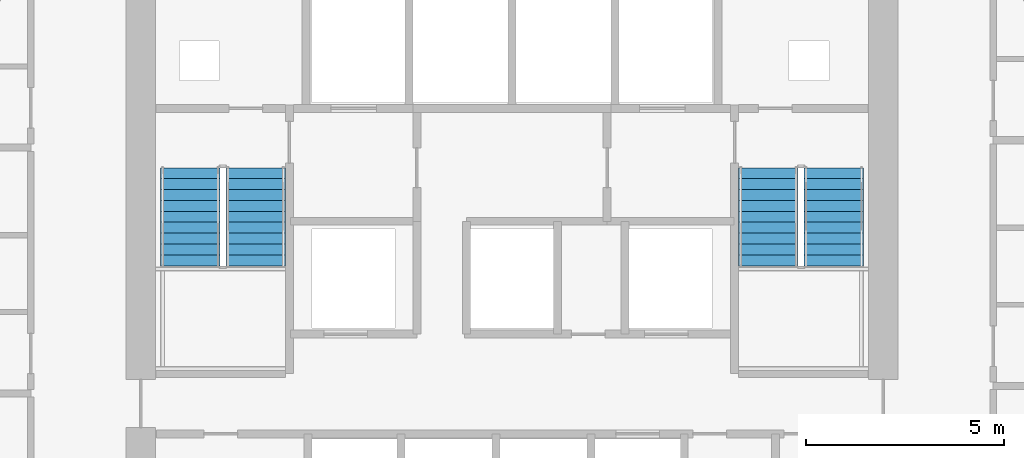
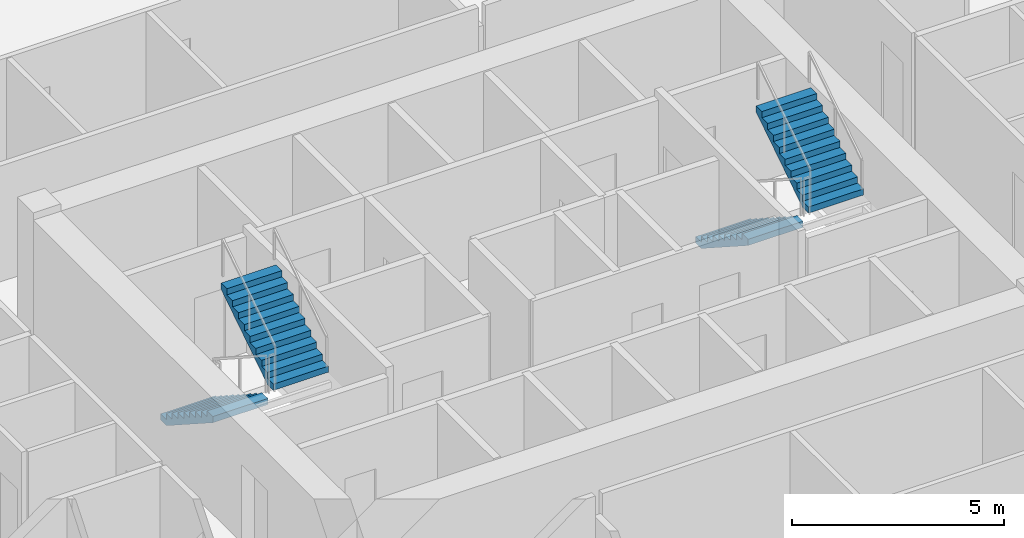
# One storey, part 7 of 10: 4 stair flights, 2 elements without a shape of their own.
"""IFC4 building model written with IfcOpenShell, lengths in metres."""

from ifc_helpers import new_model, si_unit, direction, frame, origin, place, context, subcontext, project, spatial, polyline, outline, extrude, material, type_object, element, aggregate, save


model = new_model("IFC4")

# Units and contexts
model_context = context("Model", 3, precision=1e-05, world=origin(), true_north=direction((0.0, 1.0)))
body_context = subcontext(model_context, "Body", "Model", "MODEL_VIEW")
ifc_project = project(units=[si_unit("LENGTHUNIT", "METRE"), si_unit("AREAUNIT", "SQUARE_METRE"), si_unit("VOLUMEUNIT", "CUBIC_METRE"), si_unit("PLANEANGLEUNIT", "RADIAN"), si_unit("MASSUNIT", "GRAM", prefix="KILO")], contexts=[model_context])

# Site, building, storey
site_placement = place(None, origin())
site = spatial("IfcSite", under=ifc_project, at=site_placement, CompositionType="ELEMENT")
building_placement = place(site_placement, origin())
building = spatial("IfcBuilding", under=site, at=building_placement, Name="Cinnabar Lancet Tower", CompositionType="ELEMENT")
storey_placement = place(building_placement, frame((0.0, 0.0, 98.39990234375)))
storey = spatial("IfcBuildingStorey", under=building, at=storey_placement, Name="L25", CompositionType="ELEMENT", Elevation=98.39990234375)

# Stair, stair flights
ifc_material_1 = material(Name="Concrete C40/50", Category="concrete")
stair_type = type_object("IfcStairType", Name="ST-CORE", PredefinedType="HALF_TURN_STAIR", material=ifc_material_1)
stair_1_placement = place(storey_placement, origin())
stair_1 = element("IfcStair", 1, at=stair_1_placement, inside=storey, type_object=stair_type, Name="L25 ST-1", PredefinedType="HALF_TURN_STAIR")
ifc_material_2 = material(Name="Concrete C40/50", Category="concrete")
stair_flight_type = type_object("IfcStairFlightType", Name="FLIGHT-CORE", PredefinedType="STRAIGHT", material=ifc_material_2)
stair_flight_1_placement = place(storey_placement, frame((24.27490234375, 28.39990234375, 0.0), z_axis=(0.0, 0.0, 1.0), x_axis=(0.0, -1.0, 0.0)))
stair_flight_1 = element("IfcStairFlight", 2, at=stair_flight_1_placement, type_object=stair_flight_type, Name="ST-1 flight 1", NumberOfRisers=10, NumberOfTreads=9, PredefinedType="STRAIGHT", RiserHeight=0.1775, TreadLength=0.275, context=body_context, shape_type="SweptSolid", body=[
    extrude(outline(polyline([(0.0, 0.0), (0.0, 0.177490234375), (0.27490234375, 0.177490234375), (0.27490234375, 0.35498046875), (0.550048828125, 0.35498046875), (0.550048828125, 0.532470703125), (0.824951171875, 0.532470703125), (0.824951171875, 0.7099609375), (1.10009765625, 0.7099609375), (1.10009765625, 0.887451171875), (1.375, 0.887451171875), (1.375, 1.06494140625), (1.64990234375, 1.06494140625), (1.64990234375, 1.242431640625), (1.925048828125, 1.242431640625), (1.925048828125, 1.419921875), (2.199951171875, 1.419921875), (2.199951171875, 1.597412109375), (2.47509765625, 1.597412109375), (2.47509765625, 1.77490234375), (2.47509765625, 1.419189453125), (0.2763671875, 0.0), (0.0, 0.0)])), frame((0.0, 0.75, 0.0), z_axis=(0.0, -1.0, 0.0), x_axis=(1.0, 0.0, 0.0)), (0.0, 0.0, 1.0), 1.5),
])
stair_flight_2_placement = place(storey_placement, frame((25.925048828125, 25.925048828125, 1.775146484375), z_axis=(0.0, 0.0, 1.0), x_axis=(0.0, 1.0, 0.0)))
stair_flight_2 = element("IfcStairFlight", 3, at=stair_flight_2_placement, type_object=stair_flight_type, Name="ST-1 flight 2", NumberOfRisers=10, NumberOfTreads=9, PredefinedType="STRAIGHT", RiserHeight=0.1775, TreadLength=0.275, context=body_context, shape_type="SweptSolid", body=[
    extrude(outline(polyline([(0.0, 0.0), (0.0, 0.177490234375), (0.27490234375, 0.177490234375), (0.27490234375, 0.35498046875), (0.550048828125, 0.35498046875), (0.550048828125, 0.532470703125), (0.824951171875, 0.532470703125), (0.824951171875, 0.7099609375), (1.10009765625, 0.7099609375), (1.10009765625, 0.887451171875), (1.375, 0.887451171875), (1.375, 1.06494140625), (1.64990234375, 1.06494140625), (1.64990234375, 1.242431640625), (1.925048828125, 1.242431640625), (1.925048828125, 1.419921875), (2.199951171875, 1.419921875), (2.199951171875, 1.597412109375), (2.47509765625, 1.597412109375), (2.47509765625, 1.77490234375), (2.47509765625, 1.419189453125), (0.2763671875, 0.0), (0.0, 0.0)])), frame((0.0, 0.75, 0.0), z_axis=(0.0, -1.0, 0.0), x_axis=(1.0, 0.0, 0.0)), (0.0, 0.0, 1.0), 1.5),
])
aggregate(stair_1, [stair_flight_1, stair_flight_2])

stair_2_placement = place(storey_placement, origin())
stair_2 = element("IfcStair", 4, at=stair_2_placement, inside=storey, type_object=stair_type, Name="L25 ST-2", PredefinedType="HALF_TURN_STAIR")
stair_flight_3_placement = place(storey_placement, frame((38.875, 28.39990234375, 0.0), z_axis=(0.0, 0.0, 1.0), x_axis=(0.0, -1.0, 0.0)))
stair_flight_3 = element("IfcStairFlight", 5, at=stair_flight_3_placement, type_object=stair_flight_type, Name="ST-2 flight 1", NumberOfRisers=10, NumberOfTreads=9, PredefinedType="STRAIGHT", RiserHeight=0.1775, TreadLength=0.275, context=body_context, shape_type="SweptSolid", body=[
    extrude(outline(polyline([(0.0, 0.0), (0.0, 0.177490234375), (0.27490234375, 0.177490234375), (0.27490234375, 0.35498046875), (0.550048828125, 0.35498046875), (0.550048828125, 0.532470703125), (0.824951171875, 0.532470703125), (0.824951171875, 0.7099609375), (1.10009765625, 0.7099609375), (1.10009765625, 0.887451171875), (1.375, 0.887451171875), (1.375, 1.06494140625), (1.64990234375, 1.06494140625), (1.64990234375, 1.242431640625), (1.925048828125, 1.242431640625), (1.925048828125, 1.419921875), (2.199951171875, 1.419921875), (2.199951171875, 1.597412109375), (2.47509765625, 1.597412109375), (2.47509765625, 1.77490234375), (2.47509765625, 1.419189453125), (0.2763671875, 0.0), (0.0, 0.0)])), frame((0.0, 0.75, 0.0), z_axis=(0.0, -1.0, 0.0), x_axis=(1.0, 0.0, 0.0)), (0.0, 0.0, 1.0), 1.5),
])
stair_flight_4_placement = place(storey_placement, frame((40.52490234375, 25.925048828125, 1.775146484375), z_axis=(0.0, 0.0, 1.0), x_axis=(0.0, 1.0, 0.0)))
stair_flight_4 = element("IfcStairFlight", 6, at=stair_flight_4_placement, type_object=stair_flight_type, Name="ST-2 flight 2", NumberOfRisers=10, NumberOfTreads=9, PredefinedType="STRAIGHT", RiserHeight=0.1775, TreadLength=0.275, context=body_context, shape_type="SweptSolid", body=[
    extrude(outline(polyline([(0.0, 0.0), (0.0, 0.177490234375), (0.27490234375, 0.177490234375), (0.27490234375, 0.35498046875), (0.550048828125, 0.35498046875), (0.550048828125, 0.532470703125), (0.824951171875, 0.532470703125), (0.824951171875, 0.7099609375), (1.10009765625, 0.7099609375), (1.10009765625, 0.887451171875), (1.375, 0.887451171875), (1.375, 1.06494140625), (1.64990234375, 1.06494140625), (1.64990234375, 1.242431640625), (1.925048828125, 1.242431640625), (1.925048828125, 1.419921875), (2.199951171875, 1.419921875), (2.199951171875, 1.597412109375), (2.47509765625, 1.597412109375), (2.47509765625, 1.77490234375), (2.47509765625, 1.419189453125), (0.2763671875, 0.0), (0.0, 0.0)])), frame((0.0, 0.75, 0.0), z_axis=(0.0, -1.0, 0.0), x_axis=(1.0, 0.0, 0.0)), (0.0, 0.0, 1.0), 1.5),
])
aggregate(stair_2, [stair_flight_3, stair_flight_4])

save(model, "model.ifc")
